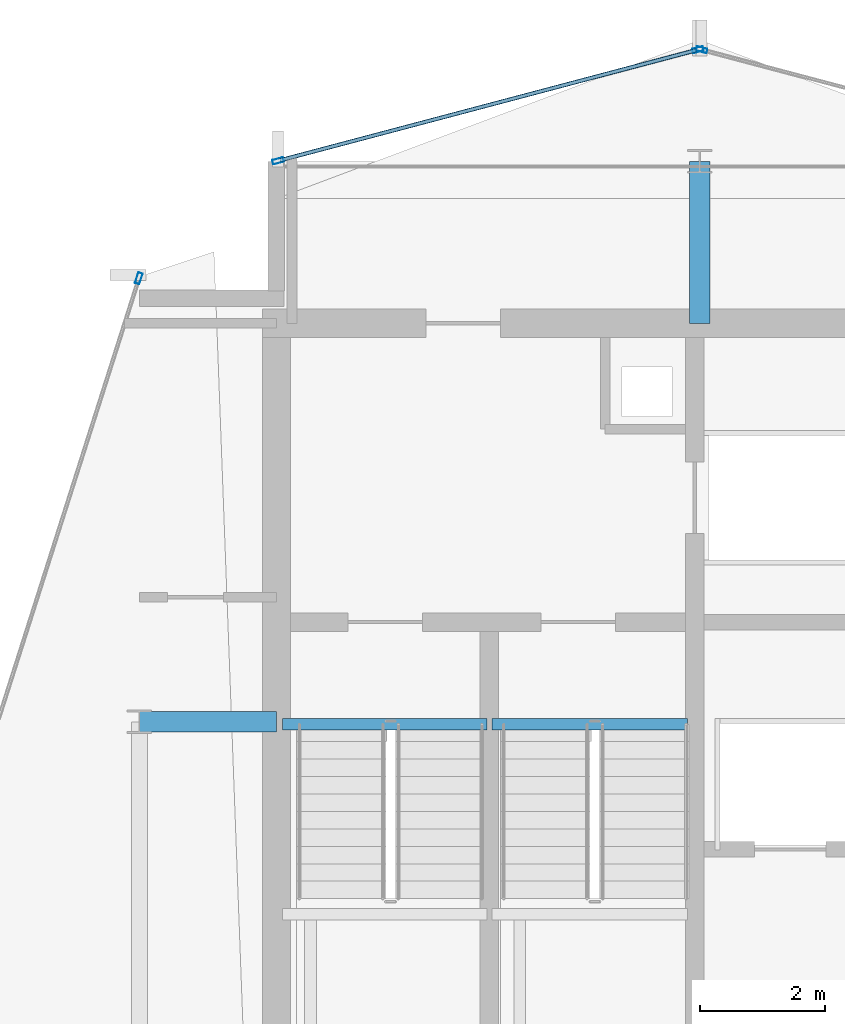
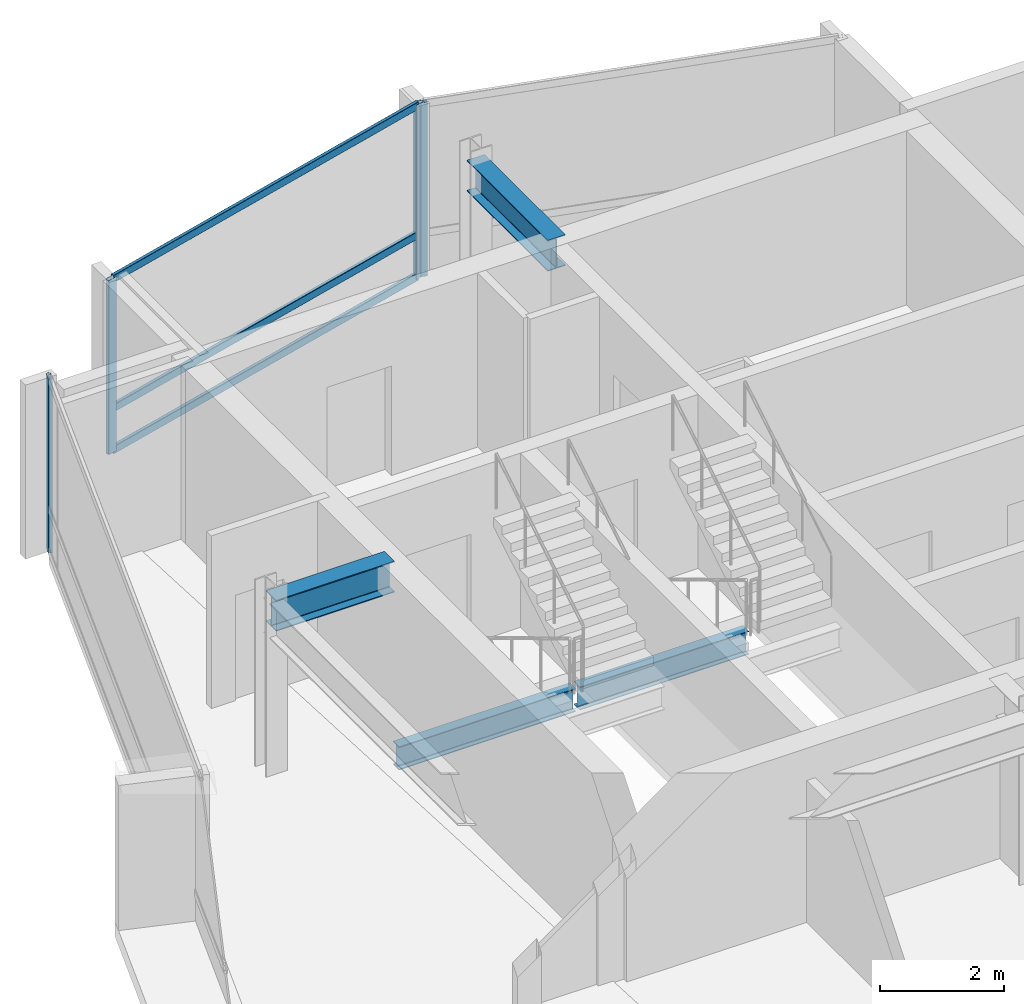
# One storey, part 11 of 19: 7 members, 4 beams, 3 elements without a shape of their own.
"""IFC4 building model written with IfcOpenShell, lengths in metres."""

from ifc_helpers import new_model, si_unit, direction, frame, origin, origin_2d, place, context, subcontext, project, spatial, hollow_rectangle, i_section, extrude, material, layer, layer_set, material_profile, profile_set, type_object, element, aggregate, save


model = new_model("IFC4")

# Units and contexts
model_context = context("Model", 3, precision=1e-05, world=origin(), true_north=direction((0.0, 1.0)))
body_context = subcontext(model_context, "Body", "Model", "MODEL_VIEW")
ifc_project = project(units=[si_unit("LENGTHUNIT", "METRE"), si_unit("AREAUNIT", "SQUARE_METRE"), si_unit("VOLUMEUNIT", "CUBIC_METRE"), si_unit("PLANEANGLEUNIT", "RADIAN"), si_unit("MASSUNIT", "GRAM", prefix="KILO")], contexts=[model_context])

# Site, building, storey
site_placement = place(None, origin())
site = spatial("IfcSite", under=ifc_project, at=site_placement, CompositionType="ELEMENT")
building_placement = place(site_placement, origin())
building = spatial("IfcBuilding", under=site, at=building_placement, Name="Solvaryn Broadcast Tower", CompositionType="ELEMENT")
storey_placement = place(building_placement, frame((0.0, 0.0, 274.10009765625)))
storey = spatial("IfcBuildingStorey", under=building, at=storey_placement, Name="L69", CompositionType="ELEMENT", Elevation=274.10009765625)

# Beams
ifc_material_1 = material(Name="Steel ASTM A992 Grade 50", Category="steel")
ifc_material_profile_1 = material_profile(ifc_material_1, i_section(OverallWidth=0.323974609375, OverallDepth=0.611083984375, WebThickness=0.0126953125, FlangeThickness=0.01904296875, FilletRadius=0.014892578125, at=origin_2d()))
ifc_profile_set_1 = profile_set([ifc_material_profile_1], Name="Steel ASTM A992 Grade 50")
beam_type_1 = type_object("IfcBeamType", Name="BM-B1-W24X104", PredefinedType="BEAM", material=ifc_profile_set_1)
beam_1_placement = place(storey_placement, frame((9.0, 36.0, 3.114501953125), z_axis=(1.0, 0.0, 0.0), x_axis=(0.0, 1.0, 0.0)))
element("IfcBeam", 1, at=beam_1_placement, inside=storey, type_object=beam_type_1, Name="L69 Core Tie Beam CTW1", PredefinedType="BEAM", context=body_context, shape_type="SweptSolid", body=[
    extrude(i_section(OverallWidth=0.323974609375, OverallDepth=0.611083984375, WebThickness=0.0126953125, FlangeThickness=0.01904296875, FilletRadius=0.014892578125, at=origin_2d()), origin(), (0.0, 0.0, 1.0), 2.199951171875),
])
beam_2_placement = place(storey_placement, frame((18.0, 42.39990234375, 3.114501953125), z_axis=(0.0, 1.0, 0.0), x_axis=(-1.0, 0.0, 0.0)))
element("IfcBeam", 2, at=beam_2_placement, inside=storey, type_object=beam_type_1, Name="L69 Core Tie Beam CTW3", PredefinedType="BEAM", context=body_context, shape_type="SweptSolid", body=[
    extrude(i_section(OverallWidth=0.323974609375, OverallDepth=0.611083984375, WebThickness=0.0126953125, FlangeThickness=0.01904296875, FilletRadius=0.014892578125, at=origin_2d()), origin(), (0.0, 0.0, 1.0), 2.60009765625),
])
ifc_material_2 = material(Name="Steel ASTM A992 Grade 50", Category="steel")
ifc_material_profile_2 = material_profile(ifc_material_2, i_section(OverallWidth=0.18994140625, OverallDepth=0.45703125, WebThickness=0.009033203125, FlangeThickness=0.014404296875, FilletRadius=0.011962890625, at=origin_2d()))
ifc_profile_set_2 = profile_set([ifc_material_profile_2], Name="Steel ASTM A992 Grade 50")
beam_type_2 = type_object("IfcBeamType", Name="BM-B4-W18X50", PredefinedType="BEAM", material=ifc_profile_set_2)
beam_3_placement = place(storey_placement, frame((11.300048828125, 35.9599609375, -0.508544921875), z_axis=(1.0, 0.0, 0.0), x_axis=(0.0, 1.0, 0.0)))
element("IfcBeam", 3, at=beam_3_placement, inside=storey, type_object=beam_type_2, Name="L69 ST1 Stair Well Trimmer Beam", PredefinedType="BEAM", context=body_context, shape_type="SweptSolid", body=[
    extrude(i_section(OverallWidth=0.18994140625, OverallDepth=0.45703125, WebThickness=0.009033203125, FlangeThickness=0.014404296875, FilletRadius=0.011962890625, at=origin_2d()), origin(), (0.0, 0.0, 1.0), 3.280029296875),
])
beam_4_placement = place(storey_placement, frame((14.659912109375, 35.9599609375, -0.508544921875), z_axis=(1.0, 0.0, 0.0), x_axis=(0.0, 1.0, 0.0)))
element("IfcBeam", 4, at=beam_4_placement, inside=storey, type_object=beam_type_2, Name="L69 ST2 Stair Well Trimmer Beam", PredefinedType="BEAM", context=body_context, shape_type="SweptSolid", body=[
    extrude(i_section(OverallWidth=0.18994140625, OverallDepth=0.45703125, WebThickness=0.009033203125, FlangeThickness=0.014404296875, FilletRadius=0.011962890625, at=origin_2d()), origin(), (0.0, 0.0, 1.0), 3.14013671875),
])

# Curtain wall, member
ifc_material_3 = material(Name="Aluminium and Terracotta Unitised Curtain Wall", Category="masonry")
ifc_layer = layer(ifc_material_3, 0.199951171875)
ifc_layer_set = layer_set([ifc_layer], Name="CW-SYS2-LOWMID")
curtain_wall_type = type_object("IfcCurtainWallType", Name="CW-SYS2-LOWMID", PredefinedType="NOTDEFINED", material=ifc_layer_set)
curtain_wall_1_placement = place(storey_placement, origin())
curtain_wall_1 = element("IfcCurtainWall", 5, at=curtain_wall_1_placement, inside=storey, type_object=curtain_wall_type, Name="L69 Curtain Wall DR1", PredefinedType="NOTDEFINED")
ifc_material_4 = material(Name="Anodised Aluminium 6063-T6", Category="aluminium")
ifc_material_profile_3 = material_profile(ifc_material_4, hollow_rectangle(XDim=0.074951171875, YDim=0.179931640625, WallThickness=0.00390625, InnerFilletRadius=0.00390625, OuterFilletRadius=0.008056640625, at=origin_2d()))
ifc_profile_set_3 = profile_set([ifc_material_profile_3], Name="Anodised Aluminium 6063-T6")
member_type_1 = type_object("IfcMemberType", Name="CW-MUL-180", PredefinedType="MULLION", material=ifc_profile_set_3)
member_1_placement = place(storey_placement, frame((8.990966796875, 43.120361328125, 0.0), z_axis=(0.0, 0.0, 1.0), x_axis=(0.952794594701, -0.30361564569, 0.0)))
member_1 = element("IfcMember", 6, at=member_1_placement, type_object=member_type_1, Name="CWS2 mullion 1", PredefinedType="MULLION", context=body_context, shape_type="SweptSolid", body=[
    extrude(hollow_rectangle(XDim=0.074951171875, YDim=0.179931640625, WallThickness=0.00390625, InnerFilletRadius=0.00390625, OuterFilletRadius=0.008056640625, at=origin_2d()), origin(), (0.0, 0.0, 1.0), 3.419921875),
])
aggregate(curtain_wall_1, [member_1])

curtain_wall_2_placement = place(storey_placement, origin())
curtain_wall_2 = element("IfcCurtainWall", 7, at=curtain_wall_2_placement, inside=storey, type_object=curtain_wall_type, Name="L69 Curtain Wall NT1", PredefinedType="NOTDEFINED")
member_2_placement = place(storey_placement, frame((18.029052734375, 46.792236328125, 0.0), z_axis=(0.0, 0.0, 1.0), x_axis=(-0.25589256031, -0.966705227863, 0.0)))
member_2 = element("IfcMember", 8, at=member_2_placement, type_object=member_type_1, Name="CWS2 mullion 2", PredefinedType="MULLION", context=body_context, shape_type="SweptSolid", body=[
    extrude(hollow_rectangle(XDim=0.074951171875, YDim=0.179931640625, WallThickness=0.00390625, InnerFilletRadius=0.00390625, OuterFilletRadius=0.008056640625, at=origin_2d()), origin(), (0.0, 0.0, 1.0), 3.419921875),
])
aggregate(curtain_wall_2, [member_2])

# Curtain wall, members
curtain_wall_3_placement = place(storey_placement, origin())
curtain_wall_3 = element("IfcCurtainWall", 9, at=curtain_wall_3_placement, inside=storey, type_object=curtain_wall_type, Name="L69 Curtain Wall NT2", PredefinedType="NOTDEFINED")
member_3_placement = place(storey_placement, frame((17.970947265625, 46.792236328125, 0.0), z_axis=(0.0, 0.0, 1.0), x_axis=(0.25589256031, -0.966705227863, 0.0)))
member_3 = element("IfcMember", 10, at=member_3_placement, type_object=member_type_1, Name="CWS2 mullion 1", PredefinedType="MULLION", context=body_context, shape_type="SweptSolid", body=[
    extrude(hollow_rectangle(XDim=0.074951171875, YDim=0.179931640625, WallThickness=0.00390625, InnerFilletRadius=0.00390625, OuterFilletRadius=0.008056640625, at=origin_2d()), origin(), (0.0, 0.0, 1.0), 3.419921875),
])
member_4_placement = place(storey_placement, frame((11.22900390625, 45.007568359375, 0.0), z_axis=(0.0, 0.0, 1.0), x_axis=(0.25589256031, -0.966705227863, 0.0)))
member_4 = element("IfcMember", 11, at=member_4_placement, type_object=member_type_1, Name="CWS2 mullion 2", PredefinedType="MULLION", context=body_context, shape_type="SweptSolid", body=[
    extrude(hollow_rectangle(XDim=0.074951171875, YDim=0.179931640625, WallThickness=0.00390625, InnerFilletRadius=0.00390625, OuterFilletRadius=0.008056640625, at=origin_2d()), origin(), (0.0, 0.0, 1.0), 3.419921875),
])
ifc_material_5 = material(Name="Anodised Aluminium 6063-T6", Category="aluminium")
ifc_material_profile_4 = material_profile(ifc_material_5, hollow_rectangle(XDim=0.06494140625, YDim=0.14990234375, WallThickness=0.00390625, InnerFilletRadius=0.00390625, OuterFilletRadius=0.008056640625, at=origin_2d()))
ifc_profile_set_4 = profile_set([ifc_material_profile_4], Name="Anodised Aluminium 6063-T6")
member_type_2 = type_object("IfcMemberType", Name="CW-TRN-150", PredefinedType="USERDEFINED", material=ifc_profile_set_4)
member_5_placement = place(storey_placement, frame((17.94189453125, 46.78466796875, 0.02978515625), z_axis=(-0.966703943301, -0.255897413051, 0.0), x_axis=(0.255897413051, -0.966703943301, 0.0)))
member_5 = element("IfcMember", 12, at=member_5_placement, type_object=member_type_2, Name="CWS2 transom 1.1", ObjectType="TRANSOM", PredefinedType="USERDEFINED", context=body_context, shape_type="SweptSolid", body=[
    extrude(hollow_rectangle(XDim=0.06494140625, YDim=0.14990234375, WallThickness=0.00390625, InnerFilletRadius=0.00390625, OuterFilletRadius=0.008056640625, at=origin_2d()), origin(), (0.0, 0.0, 1.0), 6.9140625),
])
member_6_placement = place(storey_placement, frame((17.94189453125, 46.78466796875, 0.849853515625), z_axis=(-0.966703943301, -0.255897413051, 0.0), x_axis=(0.255897413051, -0.966703943301, 0.0)))
member_6 = element("IfcMember", 13, at=member_6_placement, type_object=member_type_2, Name="CWS2 transom 1.2", ObjectType="TRANSOM", PredefinedType="USERDEFINED", context=body_context, shape_type="SweptSolid", body=[
    extrude(hollow_rectangle(XDim=0.06494140625, YDim=0.14990234375, WallThickness=0.00390625, InnerFilletRadius=0.00390625, OuterFilletRadius=0.008056640625, at=origin_2d()), origin(), (0.0, 0.0, 1.0), 6.9140625),
])
member_7_placement = place(storey_placement, frame((17.94189453125, 46.78466796875, 3.389892578125), z_axis=(-0.966703943301, -0.255897413051, 0.0), x_axis=(0.255897413051, -0.966703943301, 0.0)))
member_7 = element("IfcMember", 14, at=member_7_placement, type_object=member_type_2, Name="CWS2 transom 1.3", ObjectType="TRANSOM", PredefinedType="USERDEFINED", context=body_context, shape_type="SweptSolid", body=[
    extrude(hollow_rectangle(XDim=0.06494140625, YDim=0.14990234375, WallThickness=0.00390625, InnerFilletRadius=0.00390625, OuterFilletRadius=0.008056640625, at=origin_2d()), origin(), (0.0, 0.0, 1.0), 6.9140625),
])
aggregate(curtain_wall_3, [member_3, member_4, member_5, member_6, member_7])

save(model, "model.ifc")
